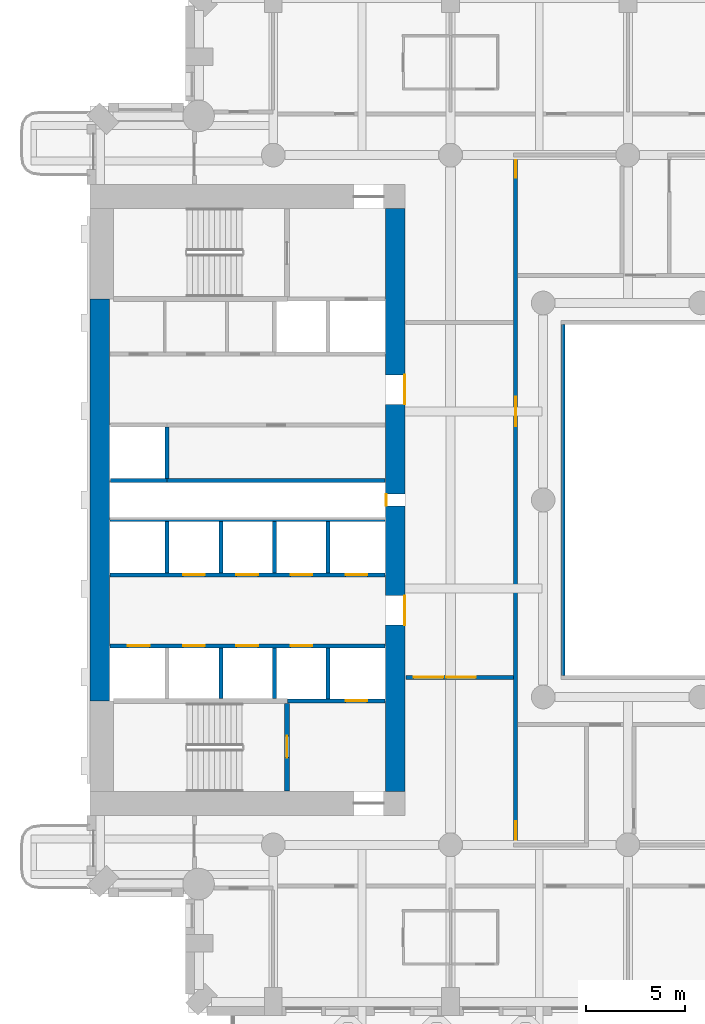
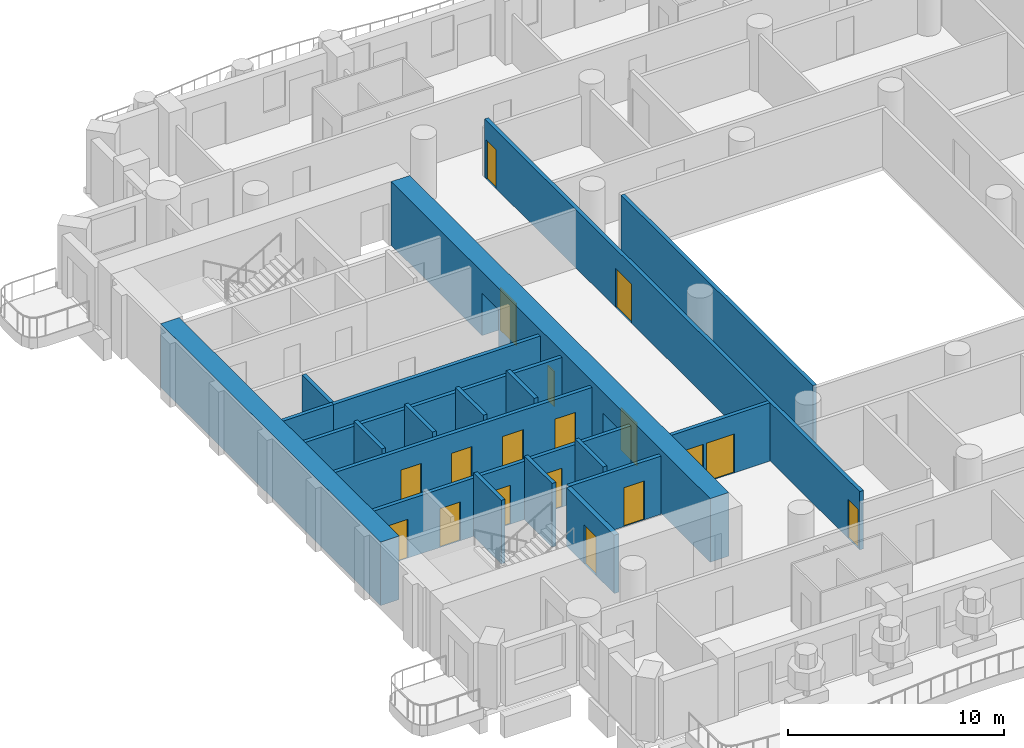
# One storey, part 4 of 19: 20 walls, 18 doors, 18 openings.
"""IFC4 building model written with IfcOpenShell, lengths in metres."""

import ifcopenshell
import ifcopenshell.guid

model = None  # the IFC model being written
_history = None  # IfcOwnerHistory: only IFC2X3 demands one
_inside = {}  # id of a spatial element -> (the spatial element, [elements in it])
_under = {}  # id of a project, library or spatial element -> (it, [spatial elements below it])
_declared = {}  # id of a project -> (the project, [libraries it declares])
_typed = {}  # id of a type object -> (the type object, [elements of that type])
_made_of = {}  # id of a material, layer set ... -> (it, [elements and type objects made of it])


def new_model(schema):
    """Start an empty IFC model of exactly this schema.

    Asked for "IFC4X3", IfcOpenShell would pick the latest addendum, in which some entities
    have other attributes; the version numbers below select the first issue.
    IFC2X3 requires an IfcOwnerHistory on every rooted entity: one is made here for all.
    """
    global model, _history
    if schema == "IFC4X3":
        model = ifcopenshell.file(schema_version=(4, 3, 0, 0))
    else:
        model = ifcopenshell.file(schema=schema)
    _inside.clear()
    _under.clear()
    _declared.clear()
    _typed.clear()
    _made_of.clear()
    _history = None
    if model.schema == "IFC2X3":
        org = make("IfcOrganization", Name="unknown")
        user = make(
            "IfcPersonAndOrganization",
            ThePerson=make("IfcPerson", FamilyName="unknown"),
            TheOrganization=org,
        )
        app = make(
            "IfcApplication",
            ApplicationDeveloper=org,
            Version="unknown",
            ApplicationFullName="unknown",
            ApplicationIdentifier="unknown",
        )
        _history = make(
            "IfcOwnerHistory",
            OwningUser=user,
            OwningApplication=app,
            ChangeAction="ADDED",
            CreationDate=0,
        )
    return model


def make(cls, **values):
    """One entity of the class cls with the attributes given. An attribute that is None is left unset."""
    return model.create_entity(
        cls, **{name: value for name, value in values.items() if value is not None}
    )


def rooted(cls, **values):
    """An entity with a GlobalId (a new one), such as an element, a storey or a relation."""
    return make(cls, GlobalId=ifcopenshell.guid.new(), OwnerHistory=_history, **values)


def si_unit(unit_type, name, prefix=None):
    """IfcSIUnit, for example si_unit("LENGTHUNIT", "METRE", prefix="MILLI")."""
    return make("IfcSIUnit", UnitType=unit_type, Prefix=prefix, Name=name)


def assignment(units):
    """IfcUnitAssignment: the units of a project."""
    return None if units is None else make("IfcUnitAssignment", Units=units)


def point(xyz):
    """IfcCartesianPoint."""
    return None if xyz is None else make("IfcCartesianPoint", Coordinates=xyz)


def direction(xyz):
    """IfcDirection."""
    return None if xyz is None else make("IfcDirection", DirectionRatios=xyz)


def frame(location, z_axis=None, x_axis=None):
    """IfcAxis2Placement3D, a coordinate frame: its origin and axes. An axis left out is left unset."""
    return make(
        "IfcAxis2Placement3D",
        Location=point(location),
        Axis=direction(z_axis),
        RefDirection=direction(x_axis),
    )


def frame_2d(location, x_axis=None):
    """IfcAxis2Placement2D, a coordinate frame in the plane: its origin and x axis."""
    return make(
        "IfcAxis2Placement2D", Location=point(location), RefDirection=direction(x_axis)
    )


def origin():
    """The frame at (0, 0, 0) with its axes left unset."""
    return frame((0.0, 0.0, 0.0))


def place(relative_to, where):
    """IfcLocalPlacement: puts the frame where relative to a parent placement (None: the world)."""
    return make(
        "IfcLocalPlacement", PlacementRelTo=relative_to, RelativePlacement=where
    )


def context(
    kind, dimensions, precision=None, world=None, true_north=None, identifier=None
):
    """IfcGeometricRepresentationContext, for example the 3D "Model" context."""
    return make(
        "IfcGeometricRepresentationContext",
        ContextIdentifier=identifier,
        ContextType=kind,
        CoordinateSpaceDimension=dimensions,
        Precision=precision,
        WorldCoordinateSystem=world,
        TrueNorth=true_north,
    )


def subcontext(parent, identifier, kind, view, scale=None):
    """IfcGeometricRepresentationSubContext, for example "Body" below "Model"."""
    return make(
        "IfcGeometricRepresentationSubContext",
        ContextIdentifier=identifier,
        ContextType=kind,
        ParentContext=parent,
        TargetScale=scale,
        TargetView=view,
    )


def project(units=None, contexts=None):
    """IfcProject with its units and contexts."""
    return rooted(
        "IfcProject",
        Name="project",
        RepresentationContexts=contexts,
        UnitsInContext=assignment(units),
    )


def spatial(cls, under=None, at=None, **own):
    """A site, building, storey or space (cls), placed at a placement, below another one or the project."""
    s = rooted(cls, ObjectPlacement=at, **own)
    if under is not None:
        _under.setdefault(under.id(), (under, []))[1].append(s)
    return s


def profile(cls, at=None, kind="AREA", **sizes):
    """A parametric profile (cls). Its sizes go by their IFC names, for example OverallWidth=200.0."""
    return make(cls, ProfileType=kind, Position=at, **sizes)


def rectangle(**sizes):
    """IfcRectangleProfileDef."""
    return profile("IfcRectangleProfileDef", **sizes)


def extrude(swept, where, along, depth):
    """IfcExtrudedAreaSolid: the profile swept, set in the frame where, extruded along a direction by depth."""
    return make(
        "IfcExtrudedAreaSolid",
        SweptArea=swept,
        Position=where,
        ExtrudedDirection=direction(along),
        Depth=depth,
    )


def shape(context_of_items, identifier, shape_type, items):
    """IfcShapeRepresentation: the items that make up one representation, for example the "Body"."""
    return make(
        "IfcShapeRepresentation",
        ContextOfItems=context_of_items,
        RepresentationIdentifier=identifier,
        RepresentationType=shape_type,
        Items=items,
    )


def material(Name=None, Category=None):
    """IfcMaterial."""
    return make("IfcMaterial", Name=Name, Category=Category)


def layer(
    of_material, thickness, ventilated=None, Name=None, Category=None, Priority=None
):
    """IfcMaterialLayer: one layer of a wall or slab, of a material (None: an air gap)."""
    return make(
        "IfcMaterialLayer",
        Material=of_material,
        LayerThickness=thickness,
        IsVentilated=ventilated,
        Name=Name,
        Category=Category,
        Priority=Priority,
    )


def layer_set(layers, Name=None):
    """IfcMaterialLayerSet."""
    return make("IfcMaterialLayerSet", MaterialLayers=layers, LayerSetName=Name)


def made_of(thing, what):
    """Note that an element or type object is made of a material, layer set ...; save() writes the relation."""
    if what is not None:
        _made_of.setdefault(what.id(), (what, []))[1].append(thing)
    return thing


def type_object(cls, material=None, **own):
    """A type object (cls), such as IfcWallType, which elements share."""
    return made_of(rooted(cls, **own), material)


def element(
    cls,
    number,
    at=None,
    inside=None,
    cuts=None,
    type_object=None,
    material=None,
    context=None,
    identifier="Body",
    shape_type=None,
    held_by="IfcProductDefinitionShape",
    body=None,
    shapes=None,
    **own,
):
    """One element of the class cls, such as IfcWall. Its Tag is "e" and its number.

    at: its placement. inside: the storey or other place that contains it. cuts: it is an
    opening in that element (IfcRelVoidsElement). A single representation is given by context,
    identifier, shape_type and body (its items); several are given by shapes. held_by: the class
    of the entity that holds the representations. save() writes the other relations.
    """
    e = rooted(cls, Tag="e%d" % number, ObjectPlacement=at, **own)
    if body is not None:
        shapes = [shape(context, identifier, shape_type, body)]
    if shapes is not None:
        e.Representation = make(held_by, Representations=shapes)
    if inside is not None:
        _inside.setdefault(inside.id(), (inside, []))[1].append(e)
    if cuts is not None:
        rooted(
            "IfcRelVoidsElement", RelatingBuildingElement=cuts, RelatedOpeningElement=e
        )
    if type_object is not None:
        _typed.setdefault(type_object.id(), (type_object, []))[1].append(e)
    return made_of(e, material)


def fill(opening, filler):
    """IfcRelFillsElement: the door or window that sits in an opening."""
    return rooted(
        "IfcRelFillsElement",
        RelatingOpeningElement=opening,
        RelatedBuildingElement=filler,
    )


def aggregate(whole, parts):
    """IfcRelAggregates: a whole, such as a stair, and the parts it consists of."""
    return rooted("IfcRelAggregates", RelatingObject=whole, RelatedObjects=parts)


def save(model, path):
    """Write the relations noted so far, then the file.

    IfcRelAggregates (storeys below a building ...), IfcRelContainedInSpatialStructure (elements
    in a storey), IfcRelDefinesByType, IfcRelAssociatesMaterial and IfcRelDeclares: one each for
    every whole, place, type object, material and project.
    """
    for whole, parts in _under.values():
        aggregate(whole, parts)
    for where, things in _inside.values():
        rooted(
            "IfcRelContainedInSpatialStructure",
            RelatedElements=things,
            RelatingStructure=where,
        )
    for kind, things in _typed.values():
        rooted("IfcRelDefinesByType", RelatedObjects=things, RelatingType=kind)
    for what, things in _made_of.values():
        rooted("IfcRelAssociatesMaterial", RelatedObjects=things, RelatingMaterial=what)
    for by, libraries in _declared.values():
        rooted("IfcRelDeclares", RelatingContext=by, RelatedDefinitions=libraries)
    model.write(path)


model = new_model("IFC4")

# Units and contexts
model_context = context("Model", 3, precision=1e-05, world=origin(), true_north=direction((0.0, 1.0)))
body_context = subcontext(model_context, "Body", "Model", "MODEL_VIEW")
ifc_project = project(units=[si_unit("LENGTHUNIT", "METRE"), si_unit("AREAUNIT", "SQUARE_METRE"), si_unit("VOLUMEUNIT", "CUBIC_METRE"), si_unit("PLANEANGLEUNIT", "RADIAN"), si_unit("MASSUNIT", "GRAM", prefix="KILO")], contexts=[model_context])

# Site, building, storey
site_placement = place(None, origin())
site = spatial("IfcSite", under=ifc_project, at=site_placement, CompositionType="ELEMENT")
building_placement = place(site_placement, origin())
building = spatial("IfcBuilding", under=site, at=building_placement, Name="Cypress Arch Tower", CompositionType="ELEMENT")
storey_placement = place(building_placement, frame((0.0, 0.0, 69.89990234375)))
storey = spatial("IfcBuildingStorey", under=building, at=storey_placement, Name="L11", CompositionType="ELEMENT", Elevation=69.89990234375)

# Wall, openings, doors
ifc_material_1 = material(Name="Concrete C80/95", Category="concrete")
ifc_layer_1 = layer(ifc_material_1, 1.0)
ifc_layer_set_1 = layer_set([ifc_layer_1], Name="Core wall CW1000 C80/95")
wall_type_1 = type_object("IfcWallType", Name="Core wall CW1000 C80/95", PredefinedType="SHEAR", material=ifc_layer_set_1)
wall_1_placement = place(storey_placement, frame((-14.5, -14.800048828125, 0.0), z_axis=(0.0, 0.0, 1.0), x_axis=(0.0, 1.0, 0.0)))
wall_1 = element("IfcWall", 1, at=wall_1_placement, inside=storey, type_object=wall_type_1, Name="Core wall", PredefinedType="SHEAR", context=body_context, shape_type="SweptSolid", body=[
    extrude(rectangle(XDim=29.60009765625, YDim=1.0, at=frame_2d((14.800048828125, 0.0))), origin(), (0.0, 0.0, 1.0), 3.60009765625),
])
opening_1_placement = place(wall_1_placement, frame((8.449951171875, 0.0, 0.0)))
opening_1 = element("IfcOpeningElement", 2, at=opening_1_placement, cuts=wall_1, Name="Opening D07", PredefinedType="OPENING", context=body_context, shape_type="SweptSolid", body=[
    extrude(rectangle(XDim=1.5, YDim=2.39990234375, at=frame_2d((0.75, 1.199951171875))), frame((0.0, 0.510009765625, 0.0), z_axis=(0.0, -1.0, 0.0), x_axis=(1.0, 0.0, 0.0)), (0.0, 0.0, 1.0), 1.02001953125),
])
opening_2_placement = place(wall_1_placement, frame((19.64990234375, 0.0, 0.0)))
opening_2 = element("IfcOpeningElement", 3, at=opening_2_placement, cuts=wall_1, Name="Opening D07", PredefinedType="OPENING", context=body_context, shape_type="SweptSolid", body=[
    extrude(rectangle(XDim=1.5, YDim=2.39990234375, at=frame_2d((0.75, 1.199951171875))), frame((0.0, 0.510009765625, 0.0), z_axis=(0.0, -1.0, 0.0), x_axis=(1.0, 0.0, 0.0)), (0.0, 0.0, 1.0), 1.02001953125),
])
opening_3_placement = place(wall_1_placement, frame((14.5, 0.0, 0.0)))
opening_3 = element("IfcOpeningElement", 4, at=opening_3_placement, cuts=wall_1, Name="Opening D08", PredefinedType="OPENING", context=body_context, shape_type="SweptSolid", body=[
    extrude(rectangle(XDim=0.60009765625, YDim=2.0, at=frame_2d((0.300048828125, 1.0))), frame((0.0, 0.510009765625, 0.0), z_axis=(0.0, -1.0, 0.0), x_axis=(1.0, 0.0, 0.0)), (0.0, 0.0, 1.0), 1.02001953125),
])
ifc_material_2 = material(Name="Steel framed glazed door, fire resisting", Category="steel")
door_type_1 = type_object("IfcDoorType", Name="Lobby door D07 1500x2400", OperationType="DOUBLE_DOOR_SINGLE_SWING", PredefinedType="DOOR", material=ifc_material_2)
door_1_placement = place(opening_1_placement, origin())
door_1 = element("IfcDoor", 5, at=door_1_placement, inside=storey, type_object=door_type_1, Name="Lobby door", OperationType="DOUBLE_DOOR_SINGLE_SWING", OverallHeight=2.39990234375, OverallWidth=1.5, PredefinedType="DOOR", context=body_context, shape_type="SweptSolid", body=[
    extrude(rectangle(XDim=1.5, YDim=2.39990234375, at=frame_2d((0.75, 1.199951171875))), frame((0.0, -0.44482421875, 0.0), z_axis=(0.0, -1.0, 0.0), x_axis=(1.0, 0.0, 0.0)), (0.0, 0.0, 1.0), 0.050048828125),
])
fill(opening_1, door_1)
door_2_placement = place(opening_2_placement, origin())
door_2 = element("IfcDoor", 6, at=door_2_placement, inside=storey, type_object=door_type_1, Name="Lobby door", OperationType="DOUBLE_DOOR_SINGLE_SWING", OverallHeight=2.39990234375, OverallWidth=1.5, PredefinedType="DOOR", context=body_context, shape_type="SweptSolid", body=[
    extrude(rectangle(XDim=1.5, YDim=2.39990234375, at=frame_2d((0.75, 1.199951171875))), frame((0.0, -0.44482421875, 0.0), z_axis=(0.0, -1.0, 0.0), x_axis=(1.0, 0.0, 0.0)), (0.0, 0.0, 1.0), 0.050048828125),
])
fill(opening_2, door_2)
ifc_material_3 = material(Name="Steel access door, fire resisting", Category="steel")
door_type_2 = type_object("IfcDoorType", Name="Riser access door D08 600x2000", OperationType="SINGLE_SWING_LEFT", PredefinedType="DOOR", material=ifc_material_3)
door_3_placement = place(opening_3_placement, origin())
door_3 = element("IfcDoor", 7, at=door_3_placement, inside=storey, type_object=door_type_2, Name="Riser access door", OperationType="SINGLE_SWING_RIGHT", OverallHeight=2.0, OverallWidth=0.60009765625, PredefinedType="DOOR", context=body_context, shape_type="SweptSolid", body=[
    extrude(rectangle(XDim=0.60009765625, YDim=2.0, at=frame_2d((0.300048828125, 1.0))), frame((0.0, 0.4951171875, 0.0), z_axis=(0.0, -1.0, 0.0), x_axis=(1.0, 0.0, 0.0)), (0.0, 0.0, 1.0), 0.050048828125),
])
fill(opening_3, door_3)

# Wall
wall_2_placement = place(storey_placement, frame((-29.5, -10.199951171875, 0.0), z_axis=(0.0, 0.0, 1.0), x_axis=(0.0, 1.0, 0.0)))
element("IfcWall", 8, at=wall_2_placement, inside=storey, type_object=wall_type_1, Name="Core wall", PredefinedType="SHEAR", context=body_context, shape_type="SweptSolid", body=[
    extrude(rectangle(XDim=20.39990234375, YDim=1.0, at=frame_2d((10.199951171875, 0.0))), origin(), (0.0, 0.0, 1.0), 3.60009765625),
])

# Wall, openings, doors
ifc_material_4 = material(Name="Concrete blockwork, plastered, rated", Category="masonry")
ifc_layer_2 = layer(ifc_material_4, 0.199951171875)
ifc_layer_set_2 = layer_set([ifc_layer_2], Name="Corridor wall FW200")
wall_type_2 = type_object("IfcWallType", Name="Corridor wall FW200", PredefinedType="PARTITIONING", material=ifc_layer_set_2)
wall_3_placement = place(storey_placement, frame((-13.969970703125, -9.0, 0.0), z_axis=(0.0, 0.0, 1.0), x_axis=(1.0, 0.0, 0.0)))
wall_3 = element("IfcWall", 9, at=wall_3_placement, inside=storey, type_object=wall_type_2, Name="Corridor wall", PredefinedType="PARTITIONING", context=body_context, shape_type="SweptSolid", body=[
    extrude(rectangle(XDim=5.469970703125, YDim=0.199951171875, at=frame_2d((2.73486328125, 0.0))), origin(), (0.0, 0.0, 1.0), 3.300048828125),
])
opening_4_placement = place(wall_3_placement, frame((0.39990234375, 0.0, 0.0)))
opening_4 = element("IfcOpeningElement", 10, at=opening_4_placement, cuts=wall_3, Name="Opening D04", PredefinedType="OPENING", context=body_context, shape_type="SweptSolid", body=[
    extrude(rectangle(XDim=1.5, YDim=2.199951171875, at=frame_2d((0.75, 1.10009765625))), frame((0.0, 0.10986328125, 0.0), z_axis=(0.0, -1.0, 0.0), x_axis=(1.0, 0.0, 0.0)), (0.0, 0.0, 1.0), 0.219970703125),
])
opening_5_placement = place(wall_3_placement, frame((2.050048828125, 0.0, 0.0)))
opening_5 = element("IfcOpeningElement", 11, at=opening_5_placement, cuts=wall_3, Name="Opening D04", PredefinedType="OPENING", context=body_context, shape_type="SweptSolid", body=[
    extrude(rectangle(XDim=1.5, YDim=2.199951171875, at=frame_2d((0.75, 1.10009765625))), frame((0.0, 0.10986328125, 0.0), z_axis=(0.0, -1.0, 0.0), x_axis=(1.0, 0.0, 0.0)), (0.0, 0.0, 1.0), 0.219970703125),
])
ifc_material_5 = material(Name="Timber double door", Category="wood")
door_type_3 = type_object("IfcDoorType", Name="Double door D04 1500x2200", OperationType="DOUBLE_DOOR_SINGLE_SWING", PredefinedType="DOOR", material=ifc_material_5)
door_4_placement = place(opening_4_placement, origin())
door_4 = element("IfcDoor", 12, at=door_4_placement, inside=storey, type_object=door_type_3, Name="Double door", OperationType="DOUBLE_DOOR_SINGLE_SWING", OverallHeight=2.199951171875, OverallWidth=1.5, PredefinedType="DOOR", context=body_context, shape_type="SweptSolid", body=[
    extrude(rectangle(XDim=1.5, YDim=2.199951171875, at=frame_2d((0.75, 1.10009765625))), frame((0.0, 0.02490234375, 0.0), z_axis=(0.0, -1.0, 0.0), x_axis=(1.0, 0.0, 0.0)), (0.0, 0.0, 1.0), 0.050048828125),
])
fill(opening_4, door_4)
door_5_placement = place(opening_5_placement, origin())
door_5 = element("IfcDoor", 13, at=door_5_placement, inside=storey, type_object=door_type_3, Name="Double door", OperationType="DOUBLE_DOOR_SINGLE_SWING", OverallHeight=2.199951171875, OverallWidth=1.5, PredefinedType="DOOR", context=body_context, shape_type="SweptSolid", body=[
    extrude(rectangle(XDim=1.5, YDim=2.199951171875, at=frame_2d((0.75, 1.10009765625))), frame((0.0, 0.02490234375, 0.0), z_axis=(0.0, -1.0, 0.0), x_axis=(1.0, 0.0, 0.0)), (0.0, 0.0, 1.0), 0.050048828125),
])
fill(opening_5, door_5)

wall_4_placement = place(storey_placement, frame((-8.39990234375, -17.39990234375, 0.0), z_axis=(0.0, 0.0, 1.0), x_axis=(0.0, 1.0, 0.0)))
wall_4 = element("IfcWall", 14, at=wall_4_placement, inside=storey, type_object=wall_type_2, Name="Corridor wall", PredefinedType="PARTITIONING", context=body_context, shape_type="SweptSolid", body=[
    extrude(rectangle(XDim=34.7998046875, YDim=0.199951171875, at=frame_2d((17.39990234375, 0.0))), origin(), (0.0, 0.0, 1.0), 3.300048828125),
])
opening_6_placement = place(wall_4_placement, frame((21.14990234375, 0.0, 0.0)))
opening_6 = element("IfcOpeningElement", 15, at=opening_6_placement, cuts=wall_4, Name="Opening D04", PredefinedType="OPENING", context=body_context, shape_type="SweptSolid", body=[
    extrude(rectangle(XDim=1.5, YDim=2.199951171875, at=frame_2d((0.75, 1.10009765625))), frame((0.0, 0.10986328125, 0.0), z_axis=(0.0, -1.0, 0.0), x_axis=(1.0, 0.0, 0.0)), (0.0, 0.0, 1.0), 0.219970703125),
])
opening_7_placement = place(wall_4_placement, frame((33.75, 0.0, 0.0)))
opening_7 = element("IfcOpeningElement", 16, at=opening_7_placement, cuts=wall_4, Name="Opening D05", PredefinedType="OPENING", context=body_context, shape_type="SweptSolid", body=[
    extrude(rectangle(XDim=0.89990234375, YDim=2.199951171875, at=frame_2d((0.449951171875, 1.10009765625))), frame((0.0, 0.10986328125, 0.0), z_axis=(0.0, -1.0, 0.0), x_axis=(1.0, 0.0, 0.0)), (0.0, 0.0, 1.0), 0.219970703125),
])
opening_8_placement = place(wall_4_placement, frame((0.14990234375, 0.0, 0.0)))
opening_8 = element("IfcOpeningElement", 17, at=opening_8_placement, cuts=wall_4, Name="Opening D02", PredefinedType="OPENING", context=body_context, shape_type="SweptSolid", body=[
    extrude(rectangle(XDim=0.949951171875, YDim=2.199951171875, at=frame_2d((0.47509765625, 1.10009765625))), frame((0.0, 0.10986328125, 0.0), z_axis=(0.0, -1.0, 0.0), x_axis=(1.0, 0.0, 0.0)), (0.0, 0.0, 1.0), 0.219970703125),
])
door_6_placement = place(opening_6_placement, origin())
door_6 = element("IfcDoor", 18, at=door_6_placement, inside=storey, type_object=door_type_3, Name="Double door", OperationType="DOUBLE_DOOR_SINGLE_SWING", OverallHeight=2.199951171875, OverallWidth=1.5, PredefinedType="DOOR", context=body_context, shape_type="SweptSolid", body=[
    extrude(rectangle(XDim=1.5, YDim=2.199951171875, at=frame_2d((0.75, 1.10009765625))), frame((0.0, 0.02490234375, 0.0), z_axis=(0.0, -1.0, 0.0), x_axis=(1.0, 0.0, 0.0)), (0.0, 0.0, 1.0), 0.050048828125),
])
fill(opening_6, door_6)
ifc_material_6 = material(Name="Timber flush door, fire resisting", Category="wood")
door_type_4 = type_object("IfcDoorType", Name="Room door D02 950x2200", OperationType="SINGLE_SWING_LEFT", PredefinedType="DOOR", material=ifc_material_6)
door_7_placement = place(opening_8_placement, origin())
door_7 = element("IfcDoor", 19, at=door_7_placement, inside=storey, type_object=door_type_4, Name="Room door", OperationType="SINGLE_SWING_RIGHT", OverallHeight=2.199951171875, OverallWidth=0.949951171875, PredefinedType="DOOR", context=body_context, shape_type="SweptSolid", body=[
    extrude(rectangle(XDim=0.949951171875, YDim=2.199951171875, at=frame_2d((0.47509765625, 1.10009765625))), frame((0.0, 0.02490234375, 0.0), z_axis=(0.0, -1.0, 0.0), x_axis=(1.0, 0.0, 0.0)), (0.0, 0.0, 1.0), 0.050048828125),
])
fill(opening_8, door_7)
ifc_material_7 = material(Name="Timber flush door", Category="wood")
door_type_5 = type_object("IfcDoorType", Name="Service door D05 900x2200", OperationType="SINGLE_SWING_LEFT", PredefinedType="DOOR", material=ifc_material_7)
door_8_placement = place(opening_7_placement, origin())
door_8 = element("IfcDoor", 20, at=door_8_placement, inside=storey, type_object=door_type_5, Name="Service door", OperationType="SINGLE_SWING_LEFT", OverallHeight=2.199951171875, OverallWidth=0.89990234375, PredefinedType="DOOR", context=body_context, shape_type="SweptSolid", body=[
    extrude(rectangle(XDim=0.89990234375, YDim=2.199951171875, at=frame_2d((0.449951171875, 1.10009765625))), frame((0.0, 0.02490234375, 0.0), z_axis=(0.0, -1.0, 0.0), x_axis=(1.0, 0.0, 0.0)), (0.0, 0.0, 1.0), 0.050048828125),
])
fill(opening_7, door_8)

# Walls
wall_5_placement = place(storey_placement, frame((-6.0, -8.89990234375, 0.0), z_axis=(0.0, 0.0, 1.0), x_axis=(0.0, 1.0, 0.0)))
element("IfcWall", 21, at=wall_5_placement, inside=storey, type_object=wall_type_2, Name="Corridor wall", PredefinedType="PARTITIONING", context=body_context, shape_type="SweptSolid", body=[
    extrude(rectangle(XDim=17.7998046875, YDim=0.199951171875, at=frame_2d((8.89990234375, 0.0))), origin(), (0.0, 0.0, 1.0), 3.300048828125),
])
ifc_material_8 = material(Name="Reinforced blockwork, plastered, rated", Category="masonry")
ifc_layer_3 = layer(ifc_material_8, 0.199951171875)
ifc_layer_set_3 = layer_set([ifc_layer_3], Name="Plant and riser wall PL200")
wall_type_3 = type_object("IfcWallType", Name="Plant and riser wall PL200", PredefinedType="PARTITIONING", material=ifc_layer_set_3)
wall_6_placement = place(storey_placement, frame((-26.10009765625, 1.0, 0.0), z_axis=(0.0, 0.0, 1.0), x_axis=(1.0, 0.0, 0.0)))
element("IfcWall", 22, at=wall_6_placement, inside=storey, type_object=wall_type_3, Name="Plant and riser wall", PredefinedType="PARTITIONING", context=body_context, shape_type="SweptSolid", body=[
    extrude(rectangle(XDim=11.070068359375, YDim=0.199951171875, at=frame_2d((5.53515625, 0.0))), origin(), (0.0, 0.0, 1.0), 3.300048828125),
])

# Wall, openings, doors
ifc_material_9 = material(Name="Concrete C50/60", Category="concrete")
ifc_layer_4 = layer(ifc_material_9, 0.199951171875)
ifc_layer_set_4 = layer_set([ifc_layer_4], Name="Shaft wall SH200")
wall_type_4 = type_object("IfcWallType", Name="Shaft wall SH200", PredefinedType="SHEAR", material=ifc_layer_set_4)
wall_7_placement = place(storey_placement, frame((-28.969970703125, -7.39990234375, 0.0), z_axis=(0.0, 0.0, 1.0), x_axis=(1.0, 0.0, 0.0)))
wall_7 = element("IfcWall", 23, at=wall_7_placement, inside=storey, type_object=wall_type_4, Name="Shaft wall", PredefinedType="SHEAR", context=body_context, shape_type="SweptSolid", body=[
    extrude(rectangle(XDim=13.93994140625, YDim=0.199951171875, at=frame_2d((6.969970703125, 0.0))), origin(), (0.0, 0.0, 1.0), 3.300048828125),
])
opening_9_placement = place(wall_7_placement, frame((0.89990234375, 0.0, 0.0)))
opening_9 = element("IfcOpeningElement", 24, at=opening_9_placement, cuts=wall_7, Name="Opening LD-LR1", PredefinedType="OPENING", context=body_context, shape_type="SweptSolid", body=[
    extrude(rectangle(XDim=1.10009765625, YDim=2.199951171875, at=frame_2d((0.550048828125, 1.10009765625))), frame((0.0, 0.10986328125, 0.0), z_axis=(0.0, -1.0, 0.0), x_axis=(1.0, 0.0, 0.0)), (0.0, 0.0, 1.0), 0.219970703125),
])
opening_10_placement = place(wall_7_placement, frame((3.699951171875, 0.0, 0.0)))
opening_10 = element("IfcOpeningElement", 25, at=opening_10_placement, cuts=wall_7, Name="Opening LD-LR2", PredefinedType="OPENING", context=body_context, shape_type="SweptSolid", body=[
    extrude(rectangle(XDim=1.10009765625, YDim=2.199951171875, at=frame_2d((0.550048828125, 1.10009765625))), frame((0.0, 0.10986328125, 0.0), z_axis=(0.0, -1.0, 0.0), x_axis=(1.0, 0.0, 0.0)), (0.0, 0.0, 1.0), 0.219970703125),
])
opening_11_placement = place(wall_7_placement, frame((6.39990234375, 0.0, 0.0)))
opening_11 = element("IfcOpeningElement", 26, at=opening_11_placement, cuts=wall_7, Name="Opening LD-LR3", PredefinedType="OPENING", context=body_context, shape_type="SweptSolid", body=[
    extrude(rectangle(XDim=1.10009765625, YDim=2.199951171875, at=frame_2d((0.550048828125, 1.10009765625))), frame((0.0, 0.10986328125, 0.0), z_axis=(0.0, -1.0, 0.0), x_axis=(1.0, 0.0, 0.0)), (0.0, 0.0, 1.0), 0.219970703125),
])
opening_12_placement = place(wall_7_placement, frame((9.14990234375, 0.0, 0.0)))
opening_12 = element("IfcOpeningElement", 27, at=opening_12_placement, cuts=wall_7, Name="Opening LD-LR4", PredefinedType="OPENING", context=body_context, shape_type="SweptSolid", body=[
    extrude(rectangle(XDim=1.10009765625, YDim=2.199951171875, at=frame_2d((0.550048828125, 1.10009765625))), frame((0.0, 0.10986328125, 0.0), z_axis=(0.0, -1.0, 0.0), x_axis=(1.0, 0.0, 0.0)), (0.0, 0.0, 1.0), 0.219970703125),
])
ifc_material_10 = material(Name="Stainless steel centre-opening landing door, rated", Category="steel")
door_type_6 = type_object("IfcDoorType", Name="Lift landing door LD 1100x2200", OperationType="DOUBLE_DOOR_SLIDING", PredefinedType="DOOR", material=ifc_material_10)
door_9_placement = place(opening_9_placement, origin())
door_9 = element("IfcDoor", 28, at=door_9_placement, inside=storey, type_object=door_type_6, Name="Lift landing doors LR1", OperationType="DOUBLE_DOOR_SLIDING", OverallHeight=2.199951171875, OverallWidth=1.10009765625, PredefinedType="DOOR", context=body_context, shape_type="SweptSolid", body=[
    extrude(rectangle(XDim=1.10009765625, YDim=2.199951171875, at=frame_2d((0.550048828125, 1.10009765625))), frame((0.0, 0.02490234375, 0.0), z_axis=(0.0, -1.0, 0.0), x_axis=(1.0, 0.0, 0.0)), (0.0, 0.0, 1.0), 0.050048828125),
])
fill(opening_9, door_9)
door_10_placement = place(opening_10_placement, origin())
door_10 = element("IfcDoor", 29, at=door_10_placement, inside=storey, type_object=door_type_6, Name="Lift landing doors LR2", OperationType="DOUBLE_DOOR_SLIDING", OverallHeight=2.199951171875, OverallWidth=1.10009765625, PredefinedType="DOOR", context=body_context, shape_type="SweptSolid", body=[
    extrude(rectangle(XDim=1.10009765625, YDim=2.199951171875, at=frame_2d((0.550048828125, 1.10009765625))), frame((0.0, 0.02490234375, 0.0), z_axis=(0.0, -1.0, 0.0), x_axis=(1.0, 0.0, 0.0)), (0.0, 0.0, 1.0), 0.050048828125),
])
fill(opening_10, door_10)
door_11_placement = place(opening_11_placement, origin())
door_11 = element("IfcDoor", 30, at=door_11_placement, inside=storey, type_object=door_type_6, Name="Lift landing doors LR3", OperationType="DOUBLE_DOOR_SLIDING", OverallHeight=2.199951171875, OverallWidth=1.10009765625, PredefinedType="DOOR", context=body_context, shape_type="SweptSolid", body=[
    extrude(rectangle(XDim=1.10009765625, YDim=2.199951171875, at=frame_2d((0.550048828125, 1.10009765625))), frame((0.0, 0.02490234375, 0.0), z_axis=(0.0, -1.0, 0.0), x_axis=(1.0, 0.0, 0.0)), (0.0, 0.0, 1.0), 0.050048828125),
])
fill(opening_11, door_11)
door_12_placement = place(opening_12_placement, origin())
door_12 = element("IfcDoor", 31, at=door_12_placement, inside=storey, type_object=door_type_6, Name="Lift landing doors LR4", OperationType="DOUBLE_DOOR_SLIDING", OverallHeight=2.199951171875, OverallWidth=1.10009765625, PredefinedType="DOOR", context=body_context, shape_type="SweptSolid", body=[
    extrude(rectangle(XDim=1.10009765625, YDim=2.199951171875, at=frame_2d((0.550048828125, 1.10009765625))), frame((0.0, 0.02490234375, 0.0), z_axis=(0.0, -1.0, 0.0), x_axis=(1.0, 0.0, 0.0)), (0.0, 0.0, 1.0), 0.050048828125),
])
fill(opening_12, door_12)

wall_8_placement = place(storey_placement, frame((-28.969970703125, -3.800048828125, 0.0), z_axis=(0.0, 0.0, 1.0), x_axis=(1.0, 0.0, 0.0)))
wall_8 = element("IfcWall", 32, at=wall_8_placement, inside=storey, type_object=wall_type_4, Name="Shaft wall", PredefinedType="SHEAR", context=body_context, shape_type="SweptSolid", body=[
    extrude(rectangle(XDim=13.93994140625, YDim=0.199951171875, at=frame_2d((6.969970703125, 0.0))), origin(), (0.0, 0.0, 1.0), 3.300048828125),
])
opening_13_placement = place(wall_8_placement, frame((3.699951171875, 0.0, 0.0)))
opening_13 = element("IfcOpeningElement", 33, at=opening_13_placement, cuts=wall_8, Name="Opening LD-LR5", PredefinedType="OPENING", context=body_context, shape_type="SweptSolid", body=[
    extrude(rectangle(XDim=1.10009765625, YDim=2.199951171875, at=frame_2d((0.550048828125, 1.10009765625))), frame((0.0, 0.10986328125, 0.0), z_axis=(0.0, -1.0, 0.0), x_axis=(1.0, 0.0, 0.0)), (0.0, 0.0, 1.0), 0.219970703125),
])
opening_14_placement = place(wall_8_placement, frame((6.39990234375, 0.0, 0.0)))
opening_14 = element("IfcOpeningElement", 34, at=opening_14_placement, cuts=wall_8, Name="Opening LD-LR6", PredefinedType="OPENING", context=body_context, shape_type="SweptSolid", body=[
    extrude(rectangle(XDim=1.10009765625, YDim=2.199951171875, at=frame_2d((0.550048828125, 1.10009765625))), frame((0.0, 0.10986328125, 0.0), z_axis=(0.0, -1.0, 0.0), x_axis=(1.0, 0.0, 0.0)), (0.0, 0.0, 1.0), 0.219970703125),
])
opening_15_placement = place(wall_8_placement, frame((9.14990234375, 0.0, 0.0)))
opening_15 = element("IfcOpeningElement", 35, at=opening_15_placement, cuts=wall_8, Name="Opening LD-LR7", PredefinedType="OPENING", context=body_context, shape_type="SweptSolid", body=[
    extrude(rectangle(XDim=1.10009765625, YDim=2.199951171875, at=frame_2d((0.550048828125, 1.10009765625))), frame((0.0, 0.10986328125, 0.0), z_axis=(0.0, -1.0, 0.0), x_axis=(1.0, 0.0, 0.0)), (0.0, 0.0, 1.0), 0.219970703125),
])
opening_16_placement = place(wall_8_placement, frame((11.949951171875, 0.0, 0.0)))
opening_16 = element("IfcOpeningElement", 36, at=opening_16_placement, cuts=wall_8, Name="Opening LD-LR8", PredefinedType="OPENING", context=body_context, shape_type="SweptSolid", body=[
    extrude(rectangle(XDim=1.10009765625, YDim=2.199951171875, at=frame_2d((0.550048828125, 1.10009765625))), frame((0.0, 0.10986328125, 0.0), z_axis=(0.0, -1.0, 0.0), x_axis=(1.0, 0.0, 0.0)), (0.0, 0.0, 1.0), 0.219970703125),
])
door_13_placement = place(opening_13_placement, origin())
door_13 = element("IfcDoor", 37, at=door_13_placement, inside=storey, type_object=door_type_6, Name="Lift landing doors LR5", OperationType="DOUBLE_DOOR_SLIDING", OverallHeight=2.199951171875, OverallWidth=1.10009765625, PredefinedType="DOOR", context=body_context, shape_type="SweptSolid", body=[
    extrude(rectangle(XDim=1.10009765625, YDim=2.199951171875, at=frame_2d((0.550048828125, 1.10009765625))), frame((0.0, 0.02490234375, 0.0), z_axis=(0.0, -1.0, 0.0), x_axis=(1.0, 0.0, 0.0)), (0.0, 0.0, 1.0), 0.050048828125),
])
fill(opening_13, door_13)
door_14_placement = place(opening_14_placement, origin())
door_14 = element("IfcDoor", 38, at=door_14_placement, inside=storey, type_object=door_type_6, Name="Lift landing doors LR6", OperationType="DOUBLE_DOOR_SLIDING", OverallHeight=2.199951171875, OverallWidth=1.10009765625, PredefinedType="DOOR", context=body_context, shape_type="SweptSolid", body=[
    extrude(rectangle(XDim=1.10009765625, YDim=2.199951171875, at=frame_2d((0.550048828125, 1.10009765625))), frame((0.0, 0.02490234375, 0.0), z_axis=(0.0, -1.0, 0.0), x_axis=(1.0, 0.0, 0.0)), (0.0, 0.0, 1.0), 0.050048828125),
])
fill(opening_14, door_14)
door_15_placement = place(opening_15_placement, origin())
door_15 = element("IfcDoor", 39, at=door_15_placement, inside=storey, type_object=door_type_6, Name="Lift landing doors LR7", OperationType="DOUBLE_DOOR_SLIDING", OverallHeight=2.199951171875, OverallWidth=1.10009765625, PredefinedType="DOOR", context=body_context, shape_type="SweptSolid", body=[
    extrude(rectangle(XDim=1.10009765625, YDim=2.199951171875, at=frame_2d((0.550048828125, 1.10009765625))), frame((0.0, 0.02490234375, 0.0), z_axis=(0.0, -1.0, 0.0), x_axis=(1.0, 0.0, 0.0)), (0.0, 0.0, 1.0), 0.050048828125),
])
fill(opening_15, door_15)
door_16_placement = place(opening_16_placement, origin())
door_16 = element("IfcDoor", 40, at=door_16_placement, inside=storey, type_object=door_type_6, Name="Lift landing doors LR8", OperationType="DOUBLE_DOOR_SLIDING", OverallHeight=2.199951171875, OverallWidth=1.10009765625, PredefinedType="DOOR", context=body_context, shape_type="SweptSolid", body=[
    extrude(rectangle(XDim=1.10009765625, YDim=2.199951171875, at=frame_2d((0.550048828125, 1.10009765625))), frame((0.0, 0.02490234375, 0.0), z_axis=(0.0, -1.0, 0.0), x_axis=(1.0, 0.0, 0.0)), (0.0, 0.0, 1.0), 0.050048828125),
])
fill(opening_16, door_16)

# Walls
wall_9_placement = place(storey_placement, frame((-28.969970703125, -1.0, 0.0), z_axis=(0.0, 0.0, 1.0), x_axis=(1.0, 0.0, 0.0)))
element("IfcWall", 41, at=wall_9_placement, inside=storey, type_object=wall_type_4, Name="Shaft wall", PredefinedType="SHEAR", context=body_context, shape_type="SweptSolid", body=[
    extrude(rectangle(XDim=13.93994140625, YDim=0.199951171875, at=frame_2d((6.969970703125, 0.0))), origin(), (0.0, 0.0, 1.0), 3.300048828125),
])
wall_10_placement = place(storey_placement, frame((-28.969970703125, 1.0, 0.0), z_axis=(0.0, 0.0, 1.0), x_axis=(1.0, 0.0, 0.0)))
element("IfcWall", 42, at=wall_10_placement, inside=storey, type_object=wall_type_4, Name="Shaft wall", PredefinedType="SHEAR", context=body_context, shape_type="SweptSolid", body=[
    extrude(rectangle(XDim=2.869873046875, YDim=0.199951171875, at=frame_2d((1.43505859375, 0.0))), origin(), (0.0, 0.0, 1.0), 3.300048828125),
])
wall_11_placement = place(storey_placement, frame((-26.080078125, -3.699951171875, 0.0), z_axis=(0.0, 0.0, 1.0), x_axis=(0.0, 1.0, 0.0)))
element("IfcWall", 43, at=wall_11_placement, inside=storey, type_object=wall_type_4, Name="Shaft wall", PredefinedType="SHEAR", context=body_context, shape_type="SweptSolid", body=[
    extrude(rectangle(XDim=2.599853515625, YDim=0.199951171875, at=frame_2d((1.2998046875, 0.0))), origin(), (0.0, 0.0, 1.0), 3.60009765625),
])
wall_12_placement = place(storey_placement, frame((-26.080078125, 1.10009765625, 0.0), z_axis=(0.0, 0.0, 1.0), x_axis=(0.0, 1.0, 0.0)))
element("IfcWall", 44, at=wall_12_placement, inside=storey, type_object=wall_type_4, Name="Shaft wall", PredefinedType="SHEAR", context=body_context, shape_type="SweptSolid", body=[
    extrude(rectangle(XDim=2.599853515625, YDim=0.199951171875, at=frame_2d((1.2998046875, 0.0))), origin(), (0.0, 0.0, 1.0), 3.300048828125),
])
wall_13_placement = place(storey_placement, frame((-23.360107421875, -10.074951171875, 0.0), z_axis=(0.0, 0.0, 1.0), x_axis=(0.0, 1.0, 0.0)))
element("IfcWall", 45, at=wall_13_placement, inside=storey, type_object=wall_type_4, Name="Shaft wall", PredefinedType="SHEAR", context=body_context, shape_type="SweptSolid", body=[
    extrude(rectangle(XDim=2.574951171875, YDim=0.199951171875, at=frame_2d((1.28759765625, 0.0))), origin(), (0.0, 0.0, 1.0), 3.60009765625),
])
wall_14_placement = place(storey_placement, frame((-23.360107421875, -3.699951171875, 0.0), z_axis=(0.0, 0.0, 1.0), x_axis=(0.0, 1.0, 0.0)))
element("IfcWall", 46, at=wall_14_placement, inside=storey, type_object=wall_type_4, Name="Shaft wall", PredefinedType="SHEAR", context=body_context, shape_type="SweptSolid", body=[
    extrude(rectangle(XDim=2.599853515625, YDim=0.199951171875, at=frame_2d((1.2998046875, 0.0))), origin(), (0.0, 0.0, 1.0), 3.60009765625),
])
wall_15_placement = place(storey_placement, frame((-20.639892578125, -10.074951171875, 0.0), z_axis=(0.0, 0.0, 1.0), x_axis=(0.0, 1.0, 0.0)))
element("IfcWall", 47, at=wall_15_placement, inside=storey, type_object=wall_type_4, Name="Shaft wall", PredefinedType="SHEAR", context=body_context, shape_type="SweptSolid", body=[
    extrude(rectangle(XDim=2.574951171875, YDim=0.199951171875, at=frame_2d((1.28759765625, 0.0))), origin(), (0.0, 0.0, 1.0), 3.60009765625),
])
wall_16_placement = place(storey_placement, frame((-20.639892578125, -3.699951171875, 0.0), z_axis=(0.0, 0.0, 1.0), x_axis=(0.0, 1.0, 0.0)))
element("IfcWall", 48, at=wall_16_placement, inside=storey, type_object=wall_type_4, Name="Shaft wall", PredefinedType="SHEAR", context=body_context, shape_type="SweptSolid", body=[
    extrude(rectangle(XDim=2.599853515625, YDim=0.199951171875, at=frame_2d((1.2998046875, 0.0))), origin(), (0.0, 0.0, 1.0), 3.60009765625),
])

# Wall, opening, door
wall_17_placement = place(storey_placement, frame((-19.97998046875, -10.199951171875, 0.0), z_axis=(0.0, 0.0, 1.0), x_axis=(1.0, 0.0, 0.0)))
wall_17 = element("IfcWall", 49, at=wall_17_placement, inside=storey, type_object=wall_type_4, Name="Shaft wall", PredefinedType="SHEAR", context=body_context, shape_type="SweptSolid", body=[
    extrude(rectangle(XDim=4.949951171875, YDim=0.199951171875, at=frame_2d((2.47509765625, 0.0))), origin(), (0.0, 0.0, 1.0), 3.300048828125),
])
opening_17_placement = place(wall_17_placement, frame((2.949951171875, 0.0, 0.0)))
opening_17 = element("IfcOpeningElement", 50, at=opening_17_placement, cuts=wall_17, Name="Opening LD-FL1", PredefinedType="OPENING", context=body_context, shape_type="SweptSolid", body=[
    extrude(rectangle(XDim=1.10009765625, YDim=2.199951171875, at=frame_2d((0.550048828125, 1.10009765625))), frame((0.0, 0.10986328125, 0.0), z_axis=(0.0, -1.0, 0.0), x_axis=(1.0, 0.0, 0.0)), (0.0, 0.0, 1.0), 0.219970703125),
])
door_17_placement = place(opening_17_placement, origin())
door_17 = element("IfcDoor", 51, at=door_17_placement, inside=storey, type_object=door_type_6, Name="Lift landing doors FL1", OperationType="DOUBLE_DOOR_SLIDING", OverallHeight=2.199951171875, OverallWidth=1.10009765625, PredefinedType="DOOR", context=body_context, shape_type="SweptSolid", body=[
    extrude(rectangle(XDim=1.10009765625, YDim=2.199951171875, at=frame_2d((0.550048828125, 1.10009765625))), frame((0.0, 0.02490234375, 0.0), z_axis=(0.0, -1.0, 0.0), x_axis=(1.0, 0.0, 0.0)), (0.0, 0.0, 1.0), 0.050048828125),
])
fill(opening_17, door_17)

# Walls
wall_18_placement = place(storey_placement, frame((-17.919921875, -10.10009765625, 0.0), z_axis=(0.0, 0.0, 1.0), x_axis=(0.0, 1.0, 0.0)))
element("IfcWall", 52, at=wall_18_placement, inside=storey, type_object=wall_type_4, Name="Shaft wall", PredefinedType="SHEAR", context=body_context, shape_type="SweptSolid", body=[
    extrude(rectangle(XDim=2.60009765625, YDim=0.199951171875, at=frame_2d((1.300048828125, 0.0))), origin(), (0.0, 0.0, 1.0), 3.60009765625),
])
wall_19_placement = place(storey_placement, frame((-17.919921875, -3.699951171875, 0.0), z_axis=(0.0, 0.0, 1.0), x_axis=(0.0, 1.0, 0.0)))
element("IfcWall", 53, at=wall_19_placement, inside=storey, type_object=wall_type_4, Name="Shaft wall", PredefinedType="SHEAR", context=body_context, shape_type="SweptSolid", body=[
    extrude(rectangle(XDim=2.599853515625, YDim=0.199951171875, at=frame_2d((1.2998046875, 0.0))), origin(), (0.0, 0.0, 1.0), 3.60009765625),
])

# Wall, opening, door
ifc_material_11 = material(Name="Concrete C50/60", Category="concrete")
ifc_layer_5 = layer(ifc_material_11, 0.25)
ifc_layer_set_5 = layer_set([ifc_layer_5], Name="Stair enclosure wall SW250")
wall_type_5 = type_object("IfcWallType", Name="Stair enclosure wall SW250", PredefinedType="SHEAR", material=ifc_layer_set_5)
wall_20_placement = place(storey_placement, frame((-20.0, -14.77001953125, 0.0), z_axis=(0.0, 0.0, 1.0), x_axis=(0.0, 1.0, 0.0)))
wall_20 = element("IfcWall", 54, at=wall_20_placement, inside=storey, type_object=wall_type_5, Name="Stair enclosure wall", PredefinedType="SHEAR", context=body_context, shape_type="SweptSolid", body=[
    extrude(rectangle(XDim=4.445068359375, YDim=0.25, at=frame_2d((2.22265625, 0.0))), origin(), (0.0, 0.0, 1.0), 3.300048828125),
])
opening_18_placement = place(wall_20_placement, frame((1.699951171875, 0.0, 0.0)))
opening_18 = element("IfcOpeningElement", 55, at=opening_18_placement, cuts=wall_20, Name="Opening D06", PredefinedType="OPENING", context=body_context, shape_type="SweptSolid", body=[
    extrude(rectangle(XDim=1.10009765625, YDim=2.199951171875, at=frame_2d((0.550048828125, 1.10009765625))), frame((0.0, 0.135009765625, 0.0), z_axis=(0.0, -1.0, 0.0), x_axis=(1.0, 0.0, 0.0)), (0.0, 0.0, 1.0), 0.27001953125),
])
ifc_material_12 = material(Name="Steel door, fire resisting, panic bar", Category="steel")
door_type_7 = type_object("IfcDoorType", Name="Stair door D06 1100x2200", OperationType="SINGLE_SWING_LEFT", PredefinedType="DOOR", material=ifc_material_12)
door_18_placement = place(opening_18_placement, origin())
door_18 = element("IfcDoor", 56, at=door_18_placement, inside=storey, type_object=door_type_7, Name="Stair door", OperationType="SINGLE_SWING_RIGHT", OverallHeight=2.199951171875, OverallWidth=1.10009765625, PredefinedType="DOOR", context=body_context, shape_type="SweptSolid", body=[
    extrude(rectangle(XDim=1.10009765625, YDim=2.199951171875, at=frame_2d((0.550048828125, 1.10009765625))), frame((0.0, 0.02490234375, 0.0), z_axis=(0.0, -1.0, 0.0), x_axis=(1.0, 0.0, 0.0)), (0.0, 0.0, 1.0), 0.050048828125),
])
fill(opening_18, door_18)

save(model, "model.ifc")
